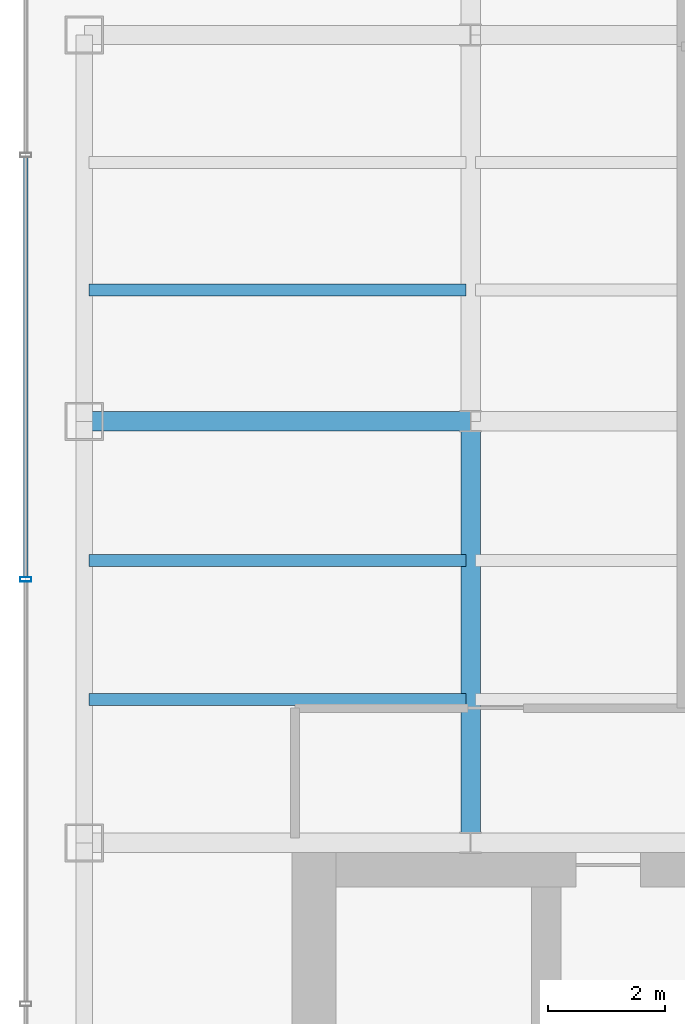
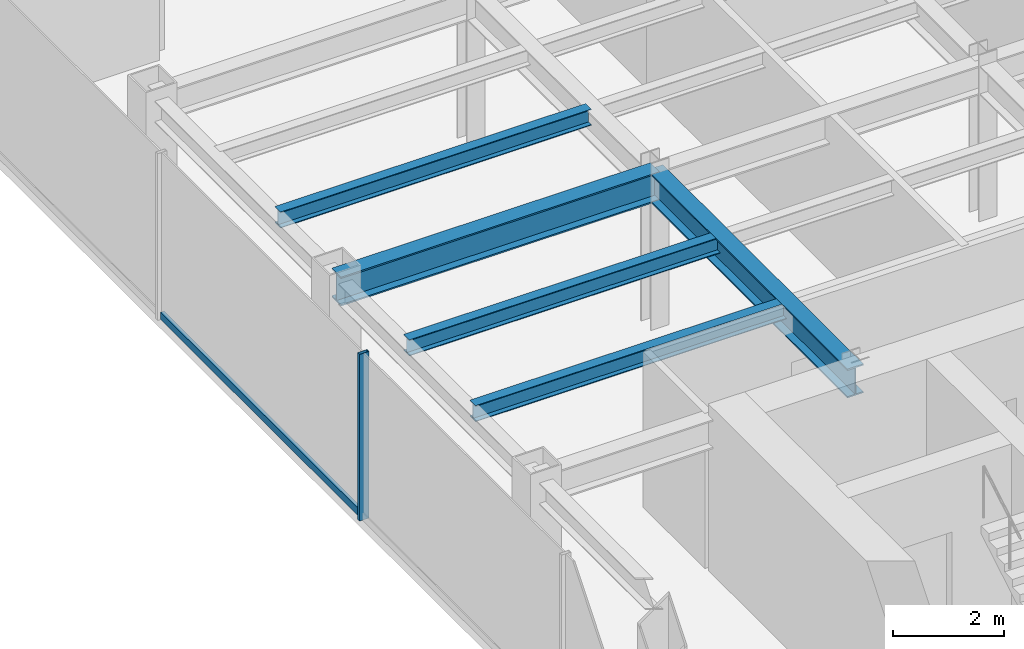
# One storey, part 5 of 25: 5 beams, 2 members, 1 element without a shape of its own.
"""IFC4 building model written with IfcOpenShell, lengths in metres."""

from ifc_helpers import new_model, si_unit, derived_unit, direction, frame, origin, origin_2d, place, context, subcontext, project, spatial, hollow_rectangle, i_section, extrude, source, transform, mapped, material, material_profile, profile_set, type_object, element, aggregate, save


model = new_model("IFC4")

# Units and contexts
model_context = context("Model", 3, precision=1e-05, world=origin(), true_north=direction((0.0, 1.0)))
body_context = subcontext(model_context, "Body", "Model", "MODEL_VIEW")
ifc_project = project(units=[si_unit("LENGTHUNIT", "METRE"), si_unit("AREAUNIT", "SQUARE_METRE"), si_unit("VOLUMEUNIT", "CUBIC_METRE"), si_unit("PLANEANGLEUNIT", "RADIAN"), si_unit("MASSUNIT", "GRAM", prefix="KILO"), derived_unit("THERMALTRANSMITTANCEUNIT", [(si_unit("POWERUNIT", "WATT"), 1), (si_unit("LENGTHUNIT", "METRE"), -2), (si_unit("THERMODYNAMICTEMPERATUREUNIT", "KELVIN"), -1)])], contexts=[model_context])

# Site, building, storey
site_placement = place(None, origin())
site = spatial("IfcSite", under=ifc_project, at=site_placement, CompositionType="ELEMENT")
building_placement = place(site_placement, origin())
building = spatial("IfcBuilding", under=site, at=building_placement, Name="Skarnbrae Concourse Arena and Tower", CompositionType="ELEMENT")
storey_placement = place(building_placement, frame((0.0, 0.0, 144.25)))
storey = spatial("IfcBuildingStorey", under=building, at=storey_placement, Name="L36", CompositionType="ELEMENT", Elevation=144.25)

# Beams
ifc_material_1 = material(Name="Steel CSA G40.21 350W", Category="steel")
ifc_material_profile_1 = material_profile(ifc_material_1, i_section(OverallWidth=0.3291015625, OverallDepth=0.635009765625, WebThickness=0.017822265625, FlangeThickness=0.031005859375, at=origin_2d()), Name="W610X241")
ifc_profile_set_1 = profile_set([ifc_material_profile_1], Name="Steel CSA G40.21 350W")
beam_type_1 = type_object("IfcBeamType", Name="BM-GIRD-W610X241", PredefinedType="BEAM", material=ifc_profile_set_1)
shared_shape_1 = source(origin(), body_context, "Body", "SweptSolid", [
    extrude(i_section(OverallWidth=0.3291015625, OverallDepth=0.635009765625, WebThickness=0.017822265625, FlangeThickness=0.031005859375, at=origin_2d()), origin(), (0.0, 0.0, 1.0), 6.60009765625),
])
beam_1_placement = place(storey_placement, frame((1.0, 21.199951171875, 3.08251953125), z_axis=(1.0, 0.0, 0.0), x_axis=(0.0, 1.0, 0.0)))
element("IfcBeam", 1, at=beam_1_placement, inside=storey, type_object=beam_type_1, Name="L36 Primary E-W girder Y21.2-1", PredefinedType="BEAM", context=body_context, shape_type="MappedRepresentation", body=[
    mapped(shared_shape_1, transform((0.0, 0.0, 0.0))),
])
shared_shape_2 = source(origin(), body_context, "Body", "SweptSolid", [
    extrude(i_section(OverallWidth=0.3291015625, OverallDepth=0.635009765625, WebThickness=0.017822265625, FlangeThickness=0.031005859375, at=origin_2d()), origin(), (0.0, 0.0, 1.0), 7.199951171875),
])
beam_2_placement = place(storey_placement, frame((7.60009765625, 14.0, 3.08251953125), z_axis=(0.0, 1.0, 0.0), x_axis=(-1.0, 0.0, 0.0)))
element("IfcBeam", 2, at=beam_2_placement, inside=storey, type_object=beam_type_1, Name="L36 Primary N-S girder X7.6-1", PredefinedType="BEAM", context=body_context, shape_type="MappedRepresentation", body=[
    mapped(shared_shape_2, transform((0.0, 0.0, 0.0))),
])
ifc_material_profile_2 = material_profile(ifc_material_1, i_section(OverallWidth=0.205078125, OverallDepth=0.35400390625, WebThickness=0.009521484375, FlangeThickness=0.016845703125, at=origin_2d()), Name="W360X79")
ifc_profile_set_2 = profile_set([ifc_material_profile_2], Name="Steel CSA G40.21 350W")
beam_type_2 = type_object("IfcBeamType", Name="BM-JOIST-W360X79", PredefinedType="JOIST", material=ifc_profile_set_2)
shared_shape_3 = source(origin(), body_context, "Body", "SweptSolid", [
    extrude(i_section(OverallWidth=0.205078125, OverallDepth=0.35400390625, WebThickness=0.009521484375, FlangeThickness=0.016845703125, at=origin_2d()), origin(), (0.0, 0.0, 1.0), 6.43994140625),
])
for number, where, z_axis, x_axis, name in (
    (3, (1.080078125, 16.447998046875, 3.222900390625), (1.0, 0.0, 0.0), (0.0, 1.0, 0.0), "L36 Secondary floor joist 1.1.1"),
    (4, (1.080078125, 18.823974609375, 3.222900390625), (1.0, 0.0, 0.0), (0.0, 1.0, 0.0), "L36 Secondary floor joist 1.2.1"),
    (5, (1.080078125, 23.444091796875, 3.222900390625), (1.0, 0.0, 0.0), (0.0, 1.0, 0.0), "L36 Secondary floor joist 2.1.1"),
):
    element("IfcBeam", number, at=place(storey_placement, frame(where, z_axis=z_axis, x_axis=x_axis)), inside=storey, type_object=beam_type_2, Name=name, PredefinedType="JOIST", context=body_context, shape_type="MappedRepresentation", body=[
        mapped(shared_shape_3, transform((0.0, 0.0, 0.0))),
    ])

# Curtain wall, members
ifc_material_2 = material(Name="Bronze anodised aluminium 6063-T6", Category="aluminium")
curtain_wall_type = type_object("IfcCurtainWallType", Name="CW-SYS-04-MIDZONE", PredefinedType="USERDEFINED", material=ifc_material_2)
curtain_wall_placement = place(storey_placement, origin())
curtain_wall = element("IfcCurtainWall", 6, at=curtain_wall_placement, inside=storey, type_object=curtain_wall_type, Name="L36 Unitised curtain wall CW-L36-E18", ObjectType="UNITISED CURTAIN WALL", PredefinedType="USERDEFINED")
ifc_material_profile_3 = material_profile(ifc_material_2, hollow_rectangle(XDim=0.074951171875, YDim=0.195068359375, WallThickness=0.00439453125, at=origin_2d()), Name="ALU-MULL-75X195")
ifc_profile_set_3 = profile_set([ifc_material_profile_3], Name="Bronze anodised aluminium 6063-T6")
member_type_1 = type_object("IfcMemberType", Name="CWM-CW-04", PredefinedType="MULLION", material=ifc_profile_set_3)
shared_shape_4 = source(origin(), body_context, "Body", "SweptSolid", [
    extrude(hollow_rectangle(XDim=0.074951171875, YDim=0.195068359375, WallThickness=0.00439453125, at=origin_2d()), origin(), (0.0, 0.0, 1.0), 3.64990234375),
])
member_1_placement = place(storey_placement, frame((0.0, 18.5, 0.0), z_axis=(0.0, 0.0, 1.0), x_axis=(0.0, -1.0, 0.0)))
member_1 = element("IfcMember", 7, at=member_1_placement, type_object=member_type_1, Name="CW-L36-E18 Mullion 3", PredefinedType="MULLION", context=body_context, shape_type="MappedRepresentation", body=[
    mapped(shared_shape_4, transform((0.0, 0.0, 0.0))),
])
ifc_material_profile_4 = material_profile(ifc_material_2, hollow_rectangle(XDim=0.074951171875, YDim=0.159912109375, WallThickness=0.00439453125, at=origin_2d()), Name="ALU-TRAN-75X160")
ifc_profile_set_4 = profile_set([ifc_material_profile_4], Name="Bronze anodised aluminium 6063-T6")
member_type_2 = type_object("IfcMemberType", Name="CWT-CW-04", PredefinedType="USERDEFINED", material=ifc_profile_set_4)
shared_shape_5 = source(origin(), body_context, "Body", "SweptSolid", [
    extrude(hollow_rectangle(XDim=0.074951171875, YDim=0.159912109375, WallThickness=0.00439453125, at=origin_2d()), origin(), (0.0, 0.0, 1.0), 7.1748046875),
])
member_2_placement = place(storey_placement, frame((0.0, 25.71240234375, 0.080078125), z_axis=(0.0, -1.0, 0.0), x_axis=(1.0, 0.0, 0.0)))
member_2 = element("IfcMember", 8, at=member_2_placement, type_object=member_type_2, Name="CW-L36-E18 Transom 2", ObjectType="TRANSOM", PredefinedType="USERDEFINED", context=body_context, shape_type="MappedRepresentation", body=[
    mapped(shared_shape_5, transform((0.0, 0.0, 0.0))),
])
aggregate(curtain_wall, [member_1, member_2])

save(model, "model.ifc")
